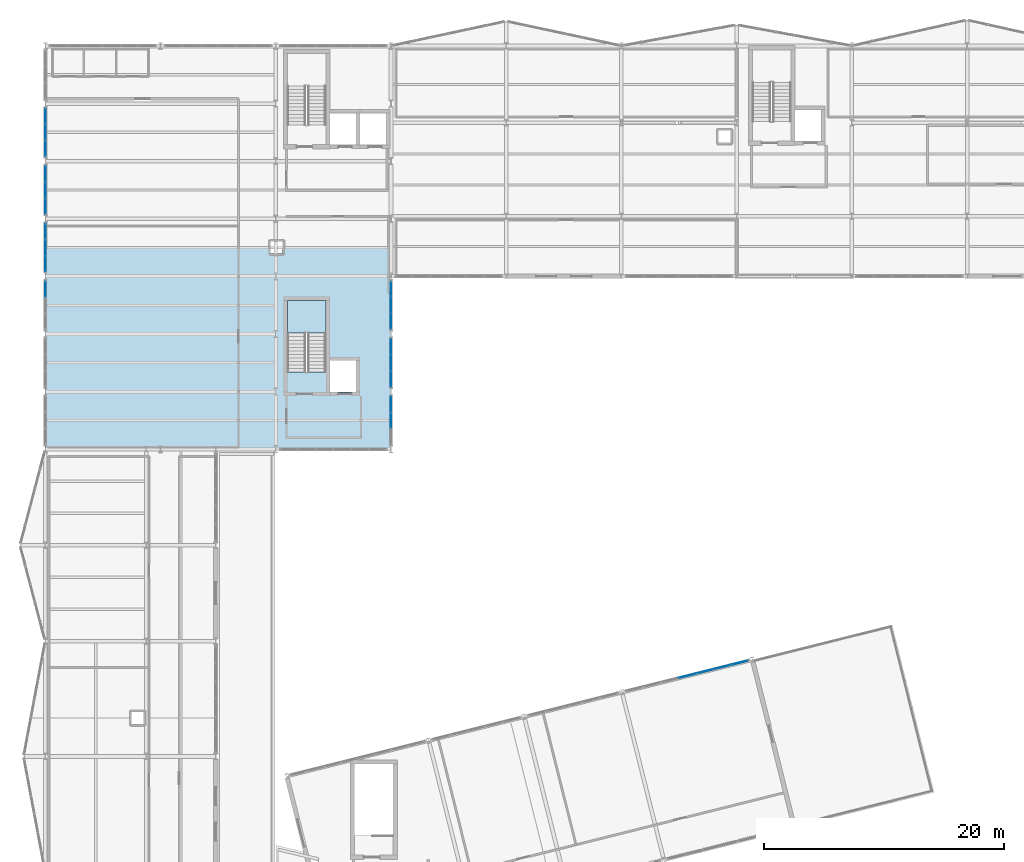
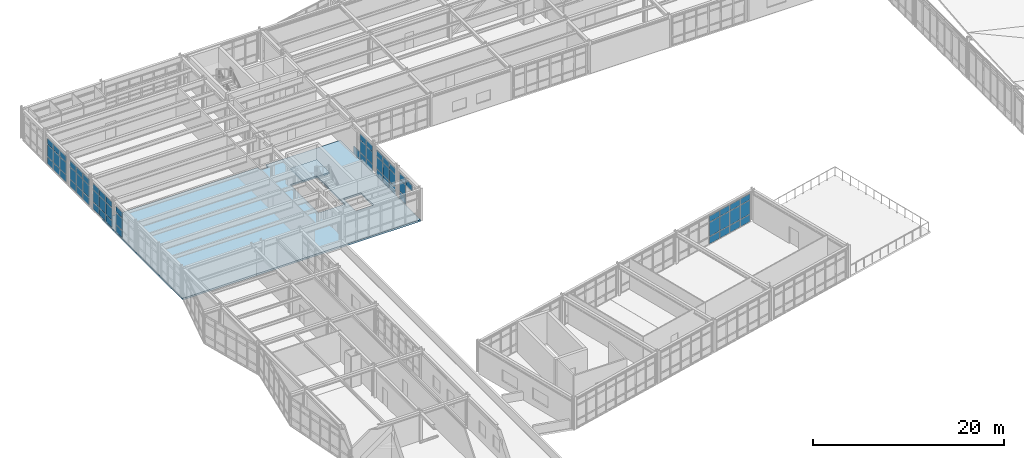
# One storey, part 45 of 64: 62 plates, 2 slabs, 9 elements without a shape of their own.
"""IFC4 building model written with IfcOpenShell, lengths in metres."""

from ifc_helpers import new_model, si_unit, direction, frame, origin, origin_2d, place, context, subcontext, project, spatial, polyline, rectangle, outline, extrude, material, layer, layer_set, type_object, element, aggregate, save


model = new_model("IFC4")

# Units and contexts
model_context = context("Model", 3, precision=1e-05, world=origin(), true_north=direction((0.0, 1.0)))
body_context = subcontext(model_context, "Body", "Model", "MODEL_VIEW")
ifc_project = project(units=[si_unit("LENGTHUNIT", "METRE"), si_unit("AREAUNIT", "SQUARE_METRE"), si_unit("VOLUMEUNIT", "CUBIC_METRE"), si_unit("PLANEANGLEUNIT", "RADIAN"), si_unit("MASSUNIT", "GRAM", prefix="KILO")], contexts=[model_context])

# Site, building, storey
site_placement = place(None, origin())
site = spatial("IfcSite", under=ifc_project, at=site_placement, CompositionType="ELEMENT")
building_placement = place(site_placement, origin())
building = spatial("IfcBuilding", under=site, at=building_placement, Name="Nordkorset Police Headquarters", CompositionType="ELEMENT")
storey_placement = place(building_placement, frame((0.0, 0.0, 17.85009765625)))
storey = spatial("IfcBuildingStorey", under=building, at=storey_placement, Name="L04", CompositionType="ELEMENT", Elevation=17.85009765625)

# Curtain wall, plates
ifc_material_1 = material(Name="Aluminium alloy AW-6060", Category="aluminium")
ifc_layer_1 = layer(ifc_material_1, 0.179931640625, Name="Aluminium alloy AW-6060")
ifc_layer_set_1 = layer_set([ifc_layer_1], Name="Aluminium alloy AW-6060")
curtain_wall_type_1 = type_object("IfcCurtainWallType", Name="CW_Unit_408x343", PredefinedType="USERDEFINED", material=ifc_layer_set_1)
curtain_wall_1_placement = place(storey_placement, origin())
curtain_wall_1 = element("IfcCurtainWall", 1, at=curtain_wall_1_placement, inside=storey, type_object=curtain_wall_type_1, Name="Unitised Curtain Wall L04 V1W-2", ObjectType="UNITISED CURTAIN WALL", PredefinedType="USERDEFINED")
ifc_material_2 = material(Name="Low-iron triple glazing", Category="glass")
ifc_layer_2 = layer(ifc_material_2, 0.035888671875, Name="Low-iron triple glazing")
ifc_layer_set_2 = layer_set([ifc_layer_2], Name="Low-iron triple glazing")
plate_type = type_object("IfcPlateType", Name="CW_Panel_TripleGlazing_36", PredefinedType="CURTAIN_PANEL", material=ifc_layer_set_2)
plate_1_placement = place(storey_placement, frame((0.0, 96.543701171875, 0.06494140625), z_axis=(0.0, 0.0, 1.0), x_axis=(0.0, 1.0, 0.0)))
plate_1 = element("IfcPlate", 2, at=plate_1_placement, type_object=plate_type, Name="CW-89 panel 3.1", PredefinedType="CURTAIN_PANEL", context=body_context, shape_type="SweptSolid", body=[
    extrude(rectangle(XDim=1.262451171875, YDim=0.035888671875, at=origin_2d()), origin(), (0.0, 0.0, 1.0), 0.902587890625),
])
plate_2_placement = place(storey_placement, frame((0.0, 96.543701171875, 1.0322265625), z_axis=(0.0, 0.0, 1.0), x_axis=(0.0, 1.0, 0.0)))
plate_2 = element("IfcPlate", 3, at=plate_2_placement, type_object=plate_type, Name="CW-89 panel 3.2", PredefinedType="CURTAIN_PANEL", context=body_context, shape_type="SweptSolid", body=[
    extrude(rectangle(XDim=1.262451171875, YDim=0.035888671875, at=origin_2d()), origin(), (0.0, 0.0, 1.0), 1.514892578125),
])
plate_3_placement = place(storey_placement, frame((0.0, 96.543701171875, 2.612548828125), z_axis=(0.0, 0.0, 1.0), x_axis=(0.0, 1.0, 0.0)))
plate_3 = element("IfcPlate", 4, at=plate_3_placement, type_object=plate_type, Name="CW-89 panel 3.3", PredefinedType="CURTAIN_PANEL", context=body_context, shape_type="SweptSolid", body=[
    extrude(rectangle(XDim=1.262451171875, YDim=0.035888671875, at=origin_2d()), origin(), (0.0, 0.0, 1.0), 0.75244140625),
])
aggregate(curtain_wall_1, [plate_1, plate_2, plate_3])

curtain_wall_2_placement = place(storey_placement, origin())
curtain_wall_2 = element("IfcCurtainWall", 5, at=curtain_wall_2_placement, inside=storey, type_object=curtain_wall_type_1, Name="Unitised Curtain Wall L04 V1W-3", ObjectType="UNITISED CURTAIN WALL", PredefinedType="USERDEFINED")
plate_4_placement = place(storey_placement, frame((0.0, 98.65625, 0.06494140625), z_axis=(0.0, 0.0, 1.0), x_axis=(0.0, 1.0, 0.0)))
plate_4 = element("IfcPlate", 6, at=plate_4_placement, type_object=plate_type, Name="CW-89 panel 1.1", PredefinedType="CURTAIN_PANEL", context=body_context, shape_type="SweptSolid", body=[
    extrude(rectangle(XDim=1.262451171875, YDim=0.035888671875, at=origin_2d()), origin(), (0.0, 0.0, 1.0), 0.902587890625),
])
plate_5_placement = place(storey_placement, frame((0.0, 98.65625, 1.0322265625), z_axis=(0.0, 0.0, 1.0), x_axis=(0.0, 1.0, 0.0)))
plate_5 = element("IfcPlate", 7, at=plate_5_placement, type_object=plate_type, Name="CW-89 panel 1.2", PredefinedType="CURTAIN_PANEL", context=body_context, shape_type="SweptSolid", body=[
    extrude(rectangle(XDim=1.262451171875, YDim=0.035888671875, at=origin_2d()), origin(), (0.0, 0.0, 1.0), 1.514892578125),
])
plate_6_placement = place(storey_placement, frame((0.0, 98.65625, 2.612548828125), z_axis=(0.0, 0.0, 1.0), x_axis=(0.0, 1.0, 0.0)))
plate_6 = element("IfcPlate", 8, at=plate_6_placement, type_object=plate_type, Name="CW-89 panel 1.3", PredefinedType="CURTAIN_PANEL", context=body_context, shape_type="SweptSolid", body=[
    extrude(rectangle(XDim=1.262451171875, YDim=0.035888671875, at=origin_2d()), origin(), (0.0, 0.0, 1.0), 0.75244140625),
])
plate_7_placement = place(storey_placement, frame((0.0, 100.0, 0.06494140625), z_axis=(0.0, 0.0, 1.0), x_axis=(0.0, 1.0, 0.0)))
plate_7 = element("IfcPlate", 9, at=plate_7_placement, type_object=plate_type, Name="CW-89 panel 2.1", PredefinedType="CURTAIN_PANEL", context=body_context, shape_type="SweptSolid", body=[
    extrude(rectangle(XDim=1.294921875, YDim=0.035888671875, at=origin_2d()), origin(), (0.0, 0.0, 1.0), 0.902587890625),
])
plate_8_placement = place(storey_placement, frame((0.0, 100.0, 1.0322265625), z_axis=(0.0, 0.0, 1.0), x_axis=(0.0, 1.0, 0.0)))
plate_8 = element("IfcPlate", 10, at=plate_8_placement, type_object=plate_type, Name="CW-89 panel 2.2", PredefinedType="CURTAIN_PANEL", context=body_context, shape_type="SweptSolid", body=[
    extrude(rectangle(XDim=1.294921875, YDim=0.035888671875, at=origin_2d()), origin(), (0.0, 0.0, 1.0), 1.514892578125),
])
plate_9_placement = place(storey_placement, frame((0.0, 100.0, 2.612548828125), z_axis=(0.0, 0.0, 1.0), x_axis=(0.0, 1.0, 0.0)))
plate_9 = element("IfcPlate", 11, at=plate_9_placement, type_object=plate_type, Name="CW-89 panel 2.3", PredefinedType="CURTAIN_PANEL", context=body_context, shape_type="SweptSolid", body=[
    extrude(rectangle(XDim=1.294921875, YDim=0.035888671875, at=origin_2d()), origin(), (0.0, 0.0, 1.0), 0.75244140625),
])
plate_10_placement = place(storey_placement, frame((0.0, 101.34375, 0.06494140625), z_axis=(0.0, 0.0, 1.0), x_axis=(0.0, 1.0, 0.0)))
plate_10 = element("IfcPlate", 12, at=plate_10_placement, type_object=plate_type, Name="CW-89 panel 3.1", PredefinedType="CURTAIN_PANEL", context=body_context, shape_type="SweptSolid", body=[
    extrude(rectangle(XDim=1.262451171875, YDim=0.035888671875, at=origin_2d()), origin(), (0.0, 0.0, 1.0), 0.902587890625),
])
plate_11_placement = place(storey_placement, frame((0.0, 101.34375, 1.0322265625), z_axis=(0.0, 0.0, 1.0), x_axis=(0.0, 1.0, 0.0)))
plate_11 = element("IfcPlate", 13, at=plate_11_placement, type_object=plate_type, Name="CW-89 panel 3.2", PredefinedType="CURTAIN_PANEL", context=body_context, shape_type="SweptSolid", body=[
    extrude(rectangle(XDim=1.262451171875, YDim=0.035888671875, at=origin_2d()), origin(), (0.0, 0.0, 1.0), 1.514892578125),
])
plate_12_placement = place(storey_placement, frame((0.0, 101.34375, 2.612548828125), z_axis=(0.0, 0.0, 1.0), x_axis=(0.0, 1.0, 0.0)))
plate_12 = element("IfcPlate", 14, at=plate_12_placement, type_object=plate_type, Name="CW-89 panel 3.3", PredefinedType="CURTAIN_PANEL", context=body_context, shape_type="SweptSolid", body=[
    extrude(rectangle(XDim=1.262451171875, YDim=0.035888671875, at=origin_2d()), origin(), (0.0, 0.0, 1.0), 0.75244140625),
])
aggregate(curtain_wall_2, [plate_4, plate_5, plate_6, plate_7, plate_8, plate_9, plate_10, plate_11, plate_12])

curtain_wall_3_placement = place(storey_placement, origin())
curtain_wall_3 = element("IfcCurtainWall", 15, at=curtain_wall_3_placement, inside=storey, type_object=curtain_wall_type_1, Name="Unitised Curtain Wall L04 V1W-4", ObjectType="UNITISED CURTAIN WALL", PredefinedType="USERDEFINED")
plate_13_placement = place(storey_placement, frame((0.0, 103.456298828125, 0.06494140625), z_axis=(0.0, 0.0, 1.0), x_axis=(0.0, 1.0, 0.0)))
plate_13 = element("IfcPlate", 16, at=plate_13_placement, type_object=plate_type, Name="CW-89 panel 1.1", PredefinedType="CURTAIN_PANEL", context=body_context, shape_type="SweptSolid", body=[
    extrude(rectangle(XDim=1.262451171875, YDim=0.035888671875, at=origin_2d()), origin(), (0.0, 0.0, 1.0), 0.902587890625),
])
plate_14_placement = place(storey_placement, frame((0.0, 103.456298828125, 1.0322265625), z_axis=(0.0, 0.0, 1.0), x_axis=(0.0, 1.0, 0.0)))
plate_14 = element("IfcPlate", 17, at=plate_14_placement, type_object=plate_type, Name="CW-89 panel 1.2", PredefinedType="CURTAIN_PANEL", context=body_context, shape_type="SweptSolid", body=[
    extrude(rectangle(XDim=1.262451171875, YDim=0.035888671875, at=origin_2d()), origin(), (0.0, 0.0, 1.0), 1.514892578125),
])
plate_15_placement = place(storey_placement, frame((0.0, 103.456298828125, 2.612548828125), z_axis=(0.0, 0.0, 1.0), x_axis=(0.0, 1.0, 0.0)))
plate_15 = element("IfcPlate", 18, at=plate_15_placement, type_object=plate_type, Name="CW-89 panel 1.3", PredefinedType="CURTAIN_PANEL", context=body_context, shape_type="SweptSolid", body=[
    extrude(rectangle(XDim=1.262451171875, YDim=0.035888671875, at=origin_2d()), origin(), (0.0, 0.0, 1.0), 0.75244140625),
])
plate_16_placement = place(storey_placement, frame((0.0, 104.800048828125, 0.06494140625), z_axis=(0.0, 0.0, 1.0), x_axis=(0.0, 1.0, 0.0)))
plate_16 = element("IfcPlate", 19, at=plate_16_placement, type_object=plate_type, Name="CW-89 panel 2.1", PredefinedType="CURTAIN_PANEL", context=body_context, shape_type="SweptSolid", body=[
    extrude(rectangle(XDim=1.294921875, YDim=0.035888671875, at=origin_2d()), origin(), (0.0, 0.0, 1.0), 0.902587890625),
])
plate_17_placement = place(storey_placement, frame((0.0, 104.800048828125, 1.0322265625), z_axis=(0.0, 0.0, 1.0), x_axis=(0.0, 1.0, 0.0)))
plate_17 = element("IfcPlate", 20, at=plate_17_placement, type_object=plate_type, Name="CW-89 panel 2.2", PredefinedType="CURTAIN_PANEL", context=body_context, shape_type="SweptSolid", body=[
    extrude(rectangle(XDim=1.294921875, YDim=0.035888671875, at=origin_2d()), origin(), (0.0, 0.0, 1.0), 1.514892578125),
])
plate_18_placement = place(storey_placement, frame((0.0, 104.800048828125, 2.612548828125), z_axis=(0.0, 0.0, 1.0), x_axis=(0.0, 1.0, 0.0)))
plate_18 = element("IfcPlate", 21, at=plate_18_placement, type_object=plate_type, Name="CW-89 panel 2.3", PredefinedType="CURTAIN_PANEL", context=body_context, shape_type="SweptSolid", body=[
    extrude(rectangle(XDim=1.294921875, YDim=0.035888671875, at=origin_2d()), origin(), (0.0, 0.0, 1.0), 0.75244140625),
])
plate_19_placement = place(storey_placement, frame((0.0, 106.143798828125, 0.06494140625), z_axis=(0.0, 0.0, 1.0), x_axis=(0.0, 1.0, 0.0)))
plate_19 = element("IfcPlate", 22, at=plate_19_placement, type_object=plate_type, Name="CW-89 panel 3.1", PredefinedType="CURTAIN_PANEL", context=body_context, shape_type="SweptSolid", body=[
    extrude(rectangle(XDim=1.262451171875, YDim=0.035888671875, at=origin_2d()), origin(), (0.0, 0.0, 1.0), 0.902587890625),
])
plate_20_placement = place(storey_placement, frame((0.0, 106.143798828125, 1.0322265625), z_axis=(0.0, 0.0, 1.0), x_axis=(0.0, 1.0, 0.0)))
plate_20 = element("IfcPlate", 23, at=plate_20_placement, type_object=plate_type, Name="CW-89 panel 3.2", PredefinedType="CURTAIN_PANEL", context=body_context, shape_type="SweptSolid", body=[
    extrude(rectangle(XDim=1.262451171875, YDim=0.035888671875, at=origin_2d()), origin(), (0.0, 0.0, 1.0), 1.514892578125),
])
plate_21_placement = place(storey_placement, frame((0.0, 106.143798828125, 2.612548828125), z_axis=(0.0, 0.0, 1.0), x_axis=(0.0, 1.0, 0.0)))
plate_21 = element("IfcPlate", 24, at=plate_21_placement, type_object=plate_type, Name="CW-89 panel 3.3", PredefinedType="CURTAIN_PANEL", context=body_context, shape_type="SweptSolid", body=[
    extrude(rectangle(XDim=1.262451171875, YDim=0.035888671875, at=origin_2d()), origin(), (0.0, 0.0, 1.0), 0.75244140625),
])
aggregate(curtain_wall_3, [plate_13, plate_14, plate_15, plate_16, plate_17, plate_18, plate_19, plate_20, plate_21])

curtain_wall_4_placement = place(storey_placement, origin())
curtain_wall_4 = element("IfcCurtainWall", 25, at=curtain_wall_4_placement, inside=storey, type_object=curtain_wall_type_1, Name="Unitised Curtain Wall L04 V1W-5", ObjectType="UNITISED CURTAIN WALL", PredefinedType="USERDEFINED")
plate_22_placement = place(storey_placement, frame((0.0, 108.25634765625, 0.06494140625), z_axis=(0.0, 0.0, 1.0), x_axis=(0.0, 1.0, 0.0)))
plate_22 = element("IfcPlate", 26, at=plate_22_placement, type_object=plate_type, Name="CW-89 panel 1.1", PredefinedType="CURTAIN_PANEL", context=body_context, shape_type="SweptSolid", body=[
    extrude(rectangle(XDim=1.262451171875, YDim=0.035888671875, at=origin_2d()), origin(), (0.0, 0.0, 1.0), 0.902587890625),
])
plate_23_placement = place(storey_placement, frame((0.0, 108.25634765625, 1.0322265625), z_axis=(0.0, 0.0, 1.0), x_axis=(0.0, 1.0, 0.0)))
plate_23 = element("IfcPlate", 27, at=plate_23_placement, type_object=plate_type, Name="CW-89 panel 1.2", PredefinedType="CURTAIN_PANEL", context=body_context, shape_type="SweptSolid", body=[
    extrude(rectangle(XDim=1.262451171875, YDim=0.035888671875, at=origin_2d()), origin(), (0.0, 0.0, 1.0), 1.514892578125),
])
plate_24_placement = place(storey_placement, frame((0.0, 108.25634765625, 2.612548828125), z_axis=(0.0, 0.0, 1.0), x_axis=(0.0, 1.0, 0.0)))
plate_24 = element("IfcPlate", 28, at=plate_24_placement, type_object=plate_type, Name="CW-89 panel 1.3", PredefinedType="CURTAIN_PANEL", context=body_context, shape_type="SweptSolid", body=[
    extrude(rectangle(XDim=1.262451171875, YDim=0.035888671875, at=origin_2d()), origin(), (0.0, 0.0, 1.0), 0.75244140625),
])
plate_25_placement = place(storey_placement, frame((0.0, 109.60009765625, 0.06494140625), z_axis=(0.0, 0.0, 1.0), x_axis=(0.0, 1.0, 0.0)))
plate_25 = element("IfcPlate", 29, at=plate_25_placement, type_object=plate_type, Name="CW-89 panel 2.1", PredefinedType="CURTAIN_PANEL", context=body_context, shape_type="SweptSolid", body=[
    extrude(rectangle(XDim=1.294921875, YDim=0.035888671875, at=origin_2d()), origin(), (0.0, 0.0, 1.0), 0.902587890625),
])
plate_26_placement = place(storey_placement, frame((0.0, 109.60009765625, 1.0322265625), z_axis=(0.0, 0.0, 1.0), x_axis=(0.0, 1.0, 0.0)))
plate_26 = element("IfcPlate", 30, at=plate_26_placement, type_object=plate_type, Name="CW-89 panel 2.2", PredefinedType="CURTAIN_PANEL", context=body_context, shape_type="SweptSolid", body=[
    extrude(rectangle(XDim=1.294921875, YDim=0.035888671875, at=origin_2d()), origin(), (0.0, 0.0, 1.0), 1.514892578125),
])
plate_27_placement = place(storey_placement, frame((0.0, 109.60009765625, 2.612548828125), z_axis=(0.0, 0.0, 1.0), x_axis=(0.0, 1.0, 0.0)))
plate_27 = element("IfcPlate", 31, at=plate_27_placement, type_object=plate_type, Name="CW-89 panel 2.3", PredefinedType="CURTAIN_PANEL", context=body_context, shape_type="SweptSolid", body=[
    extrude(rectangle(XDim=1.294921875, YDim=0.035888671875, at=origin_2d()), origin(), (0.0, 0.0, 1.0), 0.75244140625),
])
plate_28_placement = place(storey_placement, frame((0.0, 110.94384765625, 0.06494140625), z_axis=(0.0, 0.0, 1.0), x_axis=(0.0, 1.0, 0.0)))
plate_28 = element("IfcPlate", 32, at=plate_28_placement, type_object=plate_type, Name="CW-89 panel 3.1", PredefinedType="CURTAIN_PANEL", context=body_context, shape_type="SweptSolid", body=[
    extrude(rectangle(XDim=1.262451171875, YDim=0.035888671875, at=origin_2d()), origin(), (0.0, 0.0, 1.0), 0.902587890625),
])
plate_29_placement = place(storey_placement, frame((0.0, 110.94384765625, 1.0322265625), z_axis=(0.0, 0.0, 1.0), x_axis=(0.0, 1.0, 0.0)))
plate_29 = element("IfcPlate", 33, at=plate_29_placement, type_object=plate_type, Name="CW-89 panel 3.2", PredefinedType="CURTAIN_PANEL", context=body_context, shape_type="SweptSolid", body=[
    extrude(rectangle(XDim=1.262451171875, YDim=0.035888671875, at=origin_2d()), origin(), (0.0, 0.0, 1.0), 1.514892578125),
])
plate_30_placement = place(storey_placement, frame((0.0, 110.94384765625, 2.612548828125), z_axis=(0.0, 0.0, 1.0), x_axis=(0.0, 1.0, 0.0)))
plate_30 = element("IfcPlate", 34, at=plate_30_placement, type_object=plate_type, Name="CW-89 panel 3.3", PredefinedType="CURTAIN_PANEL", context=body_context, shape_type="SweptSolid", body=[
    extrude(rectangle(XDim=1.262451171875, YDim=0.035888671875, at=origin_2d()), origin(), (0.0, 0.0, 1.0), 0.75244140625),
])
aggregate(curtain_wall_4, [plate_22, plate_23, plate_24, plate_25, plate_26, plate_27, plate_28, plate_29, plate_30])

curtain_wall_5_placement = place(storey_placement, origin())
curtain_wall_5 = element("IfcCurtainWall", 35, at=curtain_wall_5_placement, inside=storey, type_object=curtain_wall_type_1, Name="Unitised Curtain Wall L04 V1E-0", ObjectType="UNITISED CURTAIN WALL", PredefinedType="USERDEFINED")
plate_31_placement = place(storey_placement, frame((28.800048828125, 85.60009765625, 2.612548828125), z_axis=(0.0, 0.0, 1.0), x_axis=(0.0, 1.0, 0.0)))
plate_31 = element("IfcPlate", 36, at=plate_31_placement, type_object=plate_type, Name="CW-89 panel 2.3", PredefinedType="CURTAIN_PANEL", context=body_context, shape_type="SweptSolid", body=[
    extrude(rectangle(XDim=1.294921875, YDim=0.035888671875, at=origin_2d()), origin(), (0.0, 0.0, 1.0), 0.75244140625),
])
plate_32_placement = place(storey_placement, frame((28.800048828125, 86.94384765625, 0.06494140625), z_axis=(0.0, 0.0, 1.0), x_axis=(0.0, 1.0, 0.0)))
plate_32 = element("IfcPlate", 37, at=plate_32_placement, type_object=plate_type, Name="CW-89 panel 3.1", PredefinedType="CURTAIN_PANEL", context=body_context, shape_type="SweptSolid", body=[
    extrude(rectangle(XDim=1.262451171875, YDim=0.035888671875, at=origin_2d()), origin(), (0.0, 0.0, 1.0), 0.902587890625),
])
plate_33_placement = place(storey_placement, frame((28.800048828125, 86.94384765625, 1.0322265625), z_axis=(0.0, 0.0, 1.0), x_axis=(0.0, 1.0, 0.0)))
plate_33 = element("IfcPlate", 38, at=plate_33_placement, type_object=plate_type, Name="CW-89 panel 3.2", PredefinedType="CURTAIN_PANEL", context=body_context, shape_type="SweptSolid", body=[
    extrude(rectangle(XDim=1.262451171875, YDim=0.035888671875, at=origin_2d()), origin(), (0.0, 0.0, 1.0), 1.514892578125),
])
plate_34_placement = place(storey_placement, frame((28.800048828125, 86.94384765625, 2.612548828125), z_axis=(0.0, 0.0, 1.0), x_axis=(0.0, 1.0, 0.0)))
plate_34 = element("IfcPlate", 39, at=plate_34_placement, type_object=plate_type, Name="CW-89 panel 3.3", PredefinedType="CURTAIN_PANEL", context=body_context, shape_type="SweptSolid", body=[
    extrude(rectangle(XDim=1.262451171875, YDim=0.035888671875, at=origin_2d()), origin(), (0.0, 0.0, 1.0), 0.75244140625),
])
aggregate(curtain_wall_5, [plate_31, plate_32, plate_33, plate_34])

curtain_wall_6_placement = place(storey_placement, origin())
curtain_wall_6 = element("IfcCurtainWall", 40, at=curtain_wall_6_placement, inside=storey, type_object=curtain_wall_type_1, Name="Unitised Curtain Wall L04 V1E-1", ObjectType="UNITISED CURTAIN WALL", PredefinedType="USERDEFINED")
plate_35_placement = place(storey_placement, frame((28.800048828125, 89.05615234375, 0.06494140625), z_axis=(0.0, 0.0, 1.0), x_axis=(0.0, 1.0, 0.0)))
plate_35 = element("IfcPlate", 41, at=plate_35_placement, type_object=plate_type, Name="CW-89 panel 1.1", PredefinedType="CURTAIN_PANEL", context=body_context, shape_type="SweptSolid", body=[
    extrude(rectangle(XDim=1.262451171875, YDim=0.035888671875, at=origin_2d()), origin(), (0.0, 0.0, 1.0), 0.902587890625),
])
plate_36_placement = place(storey_placement, frame((28.800048828125, 89.05615234375, 1.0322265625), z_axis=(0.0, 0.0, 1.0), x_axis=(0.0, 1.0, 0.0)))
plate_36 = element("IfcPlate", 42, at=plate_36_placement, type_object=plate_type, Name="CW-89 panel 1.2", PredefinedType="CURTAIN_PANEL", context=body_context, shape_type="SweptSolid", body=[
    extrude(rectangle(XDim=1.262451171875, YDim=0.035888671875, at=origin_2d()), origin(), (0.0, 0.0, 1.0), 1.514892578125),
])
plate_37_placement = place(storey_placement, frame((28.800048828125, 89.05615234375, 2.612548828125), z_axis=(0.0, 0.0, 1.0), x_axis=(0.0, 1.0, 0.0)))
plate_37 = element("IfcPlate", 43, at=plate_37_placement, type_object=plate_type, Name="CW-89 panel 1.3", PredefinedType="CURTAIN_PANEL", context=body_context, shape_type="SweptSolid", body=[
    extrude(rectangle(XDim=1.262451171875, YDim=0.035888671875, at=origin_2d()), origin(), (0.0, 0.0, 1.0), 0.75244140625),
])
plate_38_placement = place(storey_placement, frame((28.800048828125, 90.39990234375, 0.06494140625), z_axis=(0.0, 0.0, 1.0), x_axis=(0.0, 1.0, 0.0)))
plate_38 = element("IfcPlate", 44, at=plate_38_placement, type_object=plate_type, Name="CW-89 panel 2.1", PredefinedType="CURTAIN_PANEL", context=body_context, shape_type="SweptSolid", body=[
    extrude(rectangle(XDim=1.294921875, YDim=0.035888671875, at=origin_2d()), origin(), (0.0, 0.0, 1.0), 0.902587890625),
])
plate_39_placement = place(storey_placement, frame((28.800048828125, 90.39990234375, 1.0322265625), z_axis=(0.0, 0.0, 1.0), x_axis=(0.0, 1.0, 0.0)))
plate_39 = element("IfcPlate", 45, at=plate_39_placement, type_object=plate_type, Name="CW-89 panel 2.2", PredefinedType="CURTAIN_PANEL", context=body_context, shape_type="SweptSolid", body=[
    extrude(rectangle(XDim=1.294921875, YDim=0.035888671875, at=origin_2d()), origin(), (0.0, 0.0, 1.0), 1.514892578125),
])
plate_40_placement = place(storey_placement, frame((28.800048828125, 90.39990234375, 2.612548828125), z_axis=(0.0, 0.0, 1.0), x_axis=(0.0, 1.0, 0.0)))
plate_40 = element("IfcPlate", 46, at=plate_40_placement, type_object=plate_type, Name="CW-89 panel 2.3", PredefinedType="CURTAIN_PANEL", context=body_context, shape_type="SweptSolid", body=[
    extrude(rectangle(XDim=1.294921875, YDim=0.035888671875, at=origin_2d()), origin(), (0.0, 0.0, 1.0), 0.75244140625),
])
plate_41_placement = place(storey_placement, frame((28.800048828125, 91.74365234375, 0.06494140625), z_axis=(0.0, 0.0, 1.0), x_axis=(0.0, 1.0, 0.0)))
plate_41 = element("IfcPlate", 47, at=plate_41_placement, type_object=plate_type, Name="CW-89 panel 3.1", PredefinedType="CURTAIN_PANEL", context=body_context, shape_type="SweptSolid", body=[
    extrude(rectangle(XDim=1.262451171875, YDim=0.035888671875, at=origin_2d()), origin(), (0.0, 0.0, 1.0), 0.902587890625),
])
plate_42_placement = place(storey_placement, frame((28.800048828125, 91.74365234375, 1.0322265625), z_axis=(0.0, 0.0, 1.0), x_axis=(0.0, 1.0, 0.0)))
plate_42 = element("IfcPlate", 48, at=plate_42_placement, type_object=plate_type, Name="CW-89 panel 3.2", PredefinedType="CURTAIN_PANEL", context=body_context, shape_type="SweptSolid", body=[
    extrude(rectangle(XDim=1.262451171875, YDim=0.035888671875, at=origin_2d()), origin(), (0.0, 0.0, 1.0), 1.514892578125),
])
plate_43_placement = place(storey_placement, frame((28.800048828125, 91.74365234375, 2.612548828125), z_axis=(0.0, 0.0, 1.0), x_axis=(0.0, 1.0, 0.0)))
plate_43 = element("IfcPlate", 49, at=plate_43_placement, type_object=plate_type, Name="CW-89 panel 3.3", PredefinedType="CURTAIN_PANEL", context=body_context, shape_type="SweptSolid", body=[
    extrude(rectangle(XDim=1.262451171875, YDim=0.035888671875, at=origin_2d()), origin(), (0.0, 0.0, 1.0), 0.75244140625),
])
aggregate(curtain_wall_6, [plate_35, plate_36, plate_37, plate_38, plate_39, plate_40, plate_41, plate_42, plate_43])

curtain_wall_7_placement = place(storey_placement, origin())
curtain_wall_7 = element("IfcCurtainWall", 50, at=curtain_wall_7_placement, inside=storey, type_object=curtain_wall_type_1, Name="Unitised Curtain Wall L04 V1E-2", ObjectType="UNITISED CURTAIN WALL", PredefinedType="USERDEFINED")
plate_44_placement = place(storey_placement, frame((28.800048828125, 93.856201171875, 0.06494140625), z_axis=(0.0, 0.0, 1.0), x_axis=(0.0, 1.0, 0.0)))
plate_44 = element("IfcPlate", 51, at=plate_44_placement, type_object=plate_type, Name="CW-89 panel 1.1", PredefinedType="CURTAIN_PANEL", context=body_context, shape_type="SweptSolid", body=[
    extrude(rectangle(XDim=1.262451171875, YDim=0.035888671875, at=origin_2d()), origin(), (0.0, 0.0, 1.0), 0.902587890625),
])
plate_45_placement = place(storey_placement, frame((28.800048828125, 93.856201171875, 1.0322265625), z_axis=(0.0, 0.0, 1.0), x_axis=(0.0, 1.0, 0.0)))
plate_45 = element("IfcPlate", 52, at=plate_45_placement, type_object=plate_type, Name="CW-89 panel 1.2", PredefinedType="CURTAIN_PANEL", context=body_context, shape_type="SweptSolid", body=[
    extrude(rectangle(XDim=1.262451171875, YDim=0.035888671875, at=origin_2d()), origin(), (0.0, 0.0, 1.0), 1.514892578125),
])
plate_46_placement = place(storey_placement, frame((28.800048828125, 93.856201171875, 2.612548828125), z_axis=(0.0, 0.0, 1.0), x_axis=(0.0, 1.0, 0.0)))
plate_46 = element("IfcPlate", 53, at=plate_46_placement, type_object=plate_type, Name="CW-89 panel 1.3", PredefinedType="CURTAIN_PANEL", context=body_context, shape_type="SweptSolid", body=[
    extrude(rectangle(XDim=1.262451171875, YDim=0.035888671875, at=origin_2d()), origin(), (0.0, 0.0, 1.0), 0.75244140625),
])
plate_47_placement = place(storey_placement, frame((28.800048828125, 95.199951171875, 0.06494140625), z_axis=(0.0, 0.0, 1.0), x_axis=(0.0, 1.0, 0.0)))
plate_47 = element("IfcPlate", 54, at=plate_47_placement, type_object=plate_type, Name="CW-89 panel 2.1", PredefinedType="CURTAIN_PANEL", context=body_context, shape_type="SweptSolid", body=[
    extrude(rectangle(XDim=1.294921875, YDim=0.035888671875, at=origin_2d()), origin(), (0.0, 0.0, 1.0), 0.902587890625),
])
plate_48_placement = place(storey_placement, frame((28.800048828125, 95.199951171875, 1.0322265625), z_axis=(0.0, 0.0, 1.0), x_axis=(0.0, 1.0, 0.0)))
plate_48 = element("IfcPlate", 55, at=plate_48_placement, type_object=plate_type, Name="CW-89 panel 2.2", PredefinedType="CURTAIN_PANEL", context=body_context, shape_type="SweptSolid", body=[
    extrude(rectangle(XDim=1.294921875, YDim=0.035888671875, at=origin_2d()), origin(), (0.0, 0.0, 1.0), 1.514892578125),
])
plate_49_placement = place(storey_placement, frame((28.800048828125, 95.199951171875, 2.612548828125), z_axis=(0.0, 0.0, 1.0), x_axis=(0.0, 1.0, 0.0)))
plate_49 = element("IfcPlate", 56, at=plate_49_placement, type_object=plate_type, Name="CW-89 panel 2.3", PredefinedType="CURTAIN_PANEL", context=body_context, shape_type="SweptSolid", body=[
    extrude(rectangle(XDim=1.294921875, YDim=0.035888671875, at=origin_2d()), origin(), (0.0, 0.0, 1.0), 0.75244140625),
])
plate_50_placement = place(storey_placement, frame((28.800048828125, 96.543701171875, 0.06494140625), z_axis=(0.0, 0.0, 1.0), x_axis=(0.0, 1.0, 0.0)))
plate_50 = element("IfcPlate", 57, at=plate_50_placement, type_object=plate_type, Name="CW-89 panel 3.1", PredefinedType="CURTAIN_PANEL", context=body_context, shape_type="SweptSolid", body=[
    extrude(rectangle(XDim=1.262451171875, YDim=0.035888671875, at=origin_2d()), origin(), (0.0, 0.0, 1.0), 0.902587890625),
])
aggregate(curtain_wall_7, [plate_44, plate_45, plate_46, plate_47, plate_48, plate_49, plate_50])

ifc_material_3 = material(Name="Aluminium alloy AW-6060", Category="aluminium")
ifc_layer_3 = layer(ifc_material_3, 0.179931640625, Name="Aluminium alloy AW-6060")
ifc_layer_set_3 = layer_set([ifc_layer_3], Name="Aluminium alloy AW-6060")
curtain_wall_type_2 = type_object("IfcCurtainWallType", Name="CW_Unit_1056x369", PredefinedType="USERDEFINED", material=ifc_layer_set_3)
curtain_wall_8_placement = place(storey_placement, origin())
curtain_wall_8 = element("IfcCurtainWall", 58, at=curtain_wall_8_placement, inside=storey, type_object=curtain_wall_type_2, Name="Unitised Curtain Wall L04 V4N-3", ObjectType="UNITISED CURTAIN WALL", PredefinedType="USERDEFINED")
plate_51_placement = place(storey_placement, frame((53.48046875, 64.313232421875, 0.06494140625), z_axis=(0.0, 0.0, 1.0), x_axis=(0.970142388735, 0.242536070676, 0.0)))
plate_51 = element("IfcPlate", 59, at=plate_51_placement, type_object=plate_type, Name="CW-97 panel 4.1", PredefinedType="CURTAIN_PANEL", context=body_context, shape_type="SweptSolid", body=[
    extrude(rectangle(XDim=1.443603515625, YDim=0.035888671875, at=origin_2d()), origin(), (0.0, 0.0, 1.0), 0.902587890625),
])
plate_52_placement = place(storey_placement, frame((53.48046875, 64.313232421875, 1.032470703125), z_axis=(0.0, 0.0, 1.0), x_axis=(0.970142388735, 0.242536070676, 0.0)))
plate_52 = element("IfcPlate", 60, at=plate_52_placement, type_object=plate_type, Name="CW-97 panel 4.2", PredefinedType="CURTAIN_PANEL", context=body_context, shape_type="SweptSolid", body=[
    extrude(rectangle(XDim=1.443603515625, YDim=0.035888671875, at=origin_2d()), origin(), (0.0, 0.0, 1.0), 1.77587890625),
])
plate_53_placement = place(storey_placement, frame((53.48046875, 64.313232421875, 2.87353515625), z_axis=(0.0, 0.0, 1.0), x_axis=(0.970142388735, 0.242536070676, 0.0)))
plate_53 = element("IfcPlate", 61, at=plate_53_placement, type_object=plate_type, Name="CW-97 panel 4.3", PredefinedType="CURTAIN_PANEL", context=body_context, shape_type="SweptSolid", body=[
    extrude(rectangle(XDim=1.443603515625, YDim=0.035888671875, at=origin_2d()), origin(), (0.0, 0.0, 1.0), 0.75244140625),
])
plate_54_placement = place(storey_placement, frame((54.94384765625, 64.67919921875, 0.06494140625), z_axis=(0.0, 0.0, 1.0), x_axis=(0.970142388735, 0.242536070676, 0.0)))
plate_54 = element("IfcPlate", 62, at=plate_54_placement, type_object=plate_type, Name="CW-97 panel 5.1", PredefinedType="CURTAIN_PANEL", context=body_context, shape_type="SweptSolid", body=[
    extrude(rectangle(XDim=1.443603515625, YDim=0.035888671875, at=origin_2d()), origin(), (0.0, 0.0, 1.0), 0.902587890625),
])
plate_55_placement = place(storey_placement, frame((54.94384765625, 64.67919921875, 1.032470703125), z_axis=(0.0, 0.0, 1.0), x_axis=(0.970142388735, 0.242536070676, 0.0)))
plate_55 = element("IfcPlate", 63, at=plate_55_placement, type_object=plate_type, Name="CW-97 panel 5.2", PredefinedType="CURTAIN_PANEL", context=body_context, shape_type="SweptSolid", body=[
    extrude(rectangle(XDim=1.443603515625, YDim=0.035888671875, at=origin_2d()), origin(), (0.0, 0.0, 1.0), 1.77587890625),
])
plate_56_placement = place(storey_placement, frame((54.94384765625, 64.67919921875, 2.87353515625), z_axis=(0.0, 0.0, 1.0), x_axis=(0.970142388735, 0.242536070676, 0.0)))
plate_56 = element("IfcPlate", 64, at=plate_56_placement, type_object=plate_type, Name="CW-97 panel 5.3", PredefinedType="CURTAIN_PANEL", context=body_context, shape_type="SweptSolid", body=[
    extrude(rectangle(XDim=1.443603515625, YDim=0.035888671875, at=origin_2d()), origin(), (0.0, 0.0, 1.0), 0.75244140625),
])
plate_57_placement = place(storey_placement, frame((56.407470703125, 65.045166015625, 0.06494140625), z_axis=(0.0, 0.0, 1.0), x_axis=(0.970142388735, 0.242536070676, 0.0)))
plate_57 = element("IfcPlate", 65, at=plate_57_placement, type_object=plate_type, Name="CW-97 panel 6.1", PredefinedType="CURTAIN_PANEL", context=body_context, shape_type="SweptSolid", body=[
    extrude(rectangle(XDim=1.443603515625, YDim=0.035888671875, at=origin_2d()), origin(), (0.0, 0.0, 1.0), 0.902587890625),
])
plate_58_placement = place(storey_placement, frame((56.407470703125, 65.045166015625, 1.032470703125), z_axis=(0.0, 0.0, 1.0), x_axis=(0.970142388735, 0.242536070676, 0.0)))
plate_58 = element("IfcPlate", 66, at=plate_58_placement, type_object=plate_type, Name="CW-97 panel 6.2", PredefinedType="CURTAIN_PANEL", context=body_context, shape_type="SweptSolid", body=[
    extrude(rectangle(XDim=1.443603515625, YDim=0.035888671875, at=origin_2d()), origin(), (0.0, 0.0, 1.0), 1.77587890625),
])
plate_59_placement = place(storey_placement, frame((56.407470703125, 65.045166015625, 2.87353515625), z_axis=(0.0, 0.0, 1.0), x_axis=(0.970142388735, 0.242536070676, 0.0)))
plate_59 = element("IfcPlate", 67, at=plate_59_placement, type_object=plate_type, Name="CW-97 panel 6.3", PredefinedType="CURTAIN_PANEL", context=body_context, shape_type="SweptSolid", body=[
    extrude(rectangle(XDim=1.443603515625, YDim=0.035888671875, at=origin_2d()), origin(), (0.0, 0.0, 1.0), 0.75244140625),
])
plate_60_placement = place(storey_placement, frame((57.855224609375, 65.406982421875, 0.06494140625), z_axis=(0.0, 0.0, 1.0), x_axis=(0.970142388735, 0.242536070676, 0.0)))
plate_60 = element("IfcPlate", 68, at=plate_60_placement, type_object=plate_type, Name="CW-97 panel 7.1", PredefinedType="CURTAIN_PANEL", context=body_context, shape_type="SweptSolid", body=[
    extrude(rectangle(XDim=1.4111328125, YDim=0.035888671875, at=origin_2d()), origin(), (0.0, 0.0, 1.0), 0.902587890625),
])
plate_61_placement = place(storey_placement, frame((57.855224609375, 65.406982421875, 1.032470703125), z_axis=(0.0, 0.0, 1.0), x_axis=(0.970142388735, 0.242536070676, 0.0)))
plate_61 = element("IfcPlate", 69, at=plate_61_placement, type_object=plate_type, Name="CW-97 panel 7.2", PredefinedType="CURTAIN_PANEL", context=body_context, shape_type="SweptSolid", body=[
    extrude(rectangle(XDim=1.4111328125, YDim=0.035888671875, at=origin_2d()), origin(), (0.0, 0.0, 1.0), 1.77587890625),
])
plate_62_placement = place(storey_placement, frame((57.855224609375, 65.406982421875, 2.87353515625), z_axis=(0.0, 0.0, 1.0), x_axis=(0.970142388735, 0.242536070676, 0.0)))
plate_62 = element("IfcPlate", 70, at=plate_62_placement, type_object=plate_type, Name="CW-97 panel 7.3", PredefinedType="CURTAIN_PANEL", context=body_context, shape_type="SweptSolid", body=[
    extrude(rectangle(XDim=1.4111328125, YDim=0.035888671875, at=origin_2d()), origin(), (0.0, 0.0, 1.0), 0.75244140625),
])
aggregate(curtain_wall_8, [plate_51, plate_52, plate_53, plate_54, plate_55, plate_56, plate_57, plate_58, plate_59, plate_60, plate_61, plate_62])

# Slab
ifc_material_4 = material(Name="Concrete C35/45", Category="concrete")
ifc_layer_4 = layer(ifc_material_4, 0.219970703125, Name="Concrete C35/45")
ifc_layer_set_4 = layer_set([ifc_layer_4], Name="Concrete C35/45")
slab_type_1 = type_object("IfcSlabType", Name="Slab_Office_220", PredefinedType="FLOOR", material=ifc_layer_set_4)
slab_1_placement = place(storey_placement, frame((0.0, 0.0, -0.22021484375)))
element("IfcSlab", 71, at=slab_1_placement, inside=storey, type_object=slab_type_1, Name="Composite Floor Slab V1 South L04", PredefinedType="FLOOR", context=body_context, shape_type="SweptSolid", body=[
    extrude(outline(polyline([(18.780029296875, 100.0), (18.780029296875, 99.5), (19.780029296875, 99.5), (19.780029296875, 100.0), (28.800048828125, 100.0), (28.800048828125, 83.199951171875), (0.0, 83.199951171875), (0.0, 100.0), (18.780029296875, 100.0)]), holes=[polyline([(20.175048828125, 95.574951171875), (20.175048828125, 89.6279296875), (23.375, 89.6279296875), (23.375, 95.574951171875), (20.175048828125, 95.574951171875)]), polyline([(25.875, 90.574951171875), (23.72509765625, 90.574951171875), (23.72509765625, 87.97509765625), (25.875, 87.97509765625), (25.875, 90.574951171875)])]), origin(), (0.0, 0.0, 1.0), 0.22021484375),
])

# Stair, slab
ifc_material_5 = material(Name="Concrete C35/45", Category="concrete")
stair_type = type_object("IfcStairType", Name="ST-42", PredefinedType="HALF_TURN_STAIR", material=ifc_material_5)
stair_placement = place(storey_placement, origin())
stair = element("IfcStair", 72, at=stair_placement, inside=storey, type_object=stair_type, Name="L04 Protected Escape Stair ST-03", PredefinedType="HALF_TURN_STAIR")
ifc_material_6 = material(Name="Concrete C35/45", Category="concrete")
ifc_layer_5 = layer(ifc_material_6, 0.199951171875, Name="Concrete C35/45")
ifc_layer_set_5 = layer_set([ifc_layer_5], Name="Concrete C35/45")
slab_type_2 = type_object("IfcSlabType", Name="Slab_StairLanding_200", PredefinedType="LANDING", material=ifc_layer_set_5)
slab_2_placement = place(storey_placement, frame((0.0, 0.0, 1.89990234375)))
slab_2 = element("IfcSlab", 73, at=slab_2_placement, type_object=slab_type_2, Name="ST-03 landing 1", PredefinedType="LANDING", context=body_context, shape_type="SweptSolid", body=[
    extrude(outline(polyline([(23.375, 92.8701171875), (23.375, 95.574951171875), (20.175048828125, 95.574951171875), (20.175048828125, 92.8701171875), (23.375, 92.8701171875)])), origin(), (0.0, 0.0, 1.0), 0.199951171875),
])
aggregate(stair, [slab_2])

save(model, "model.ifc")
